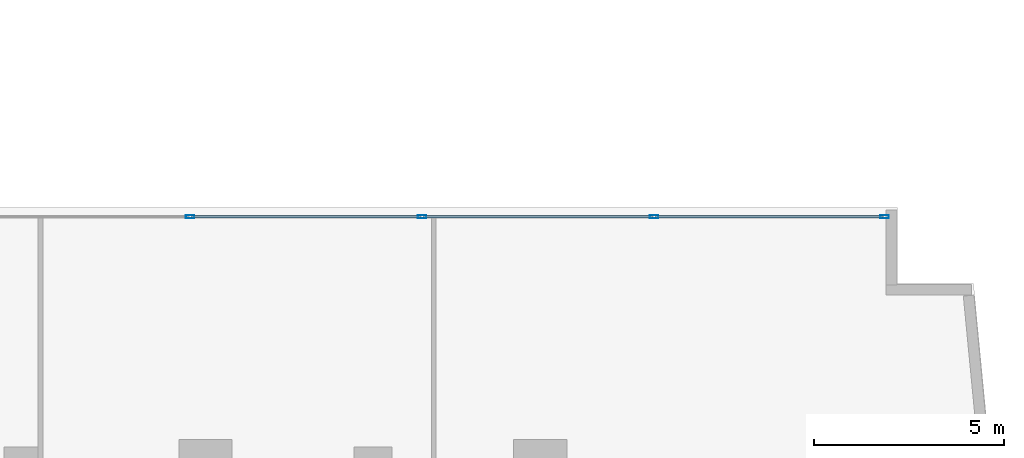
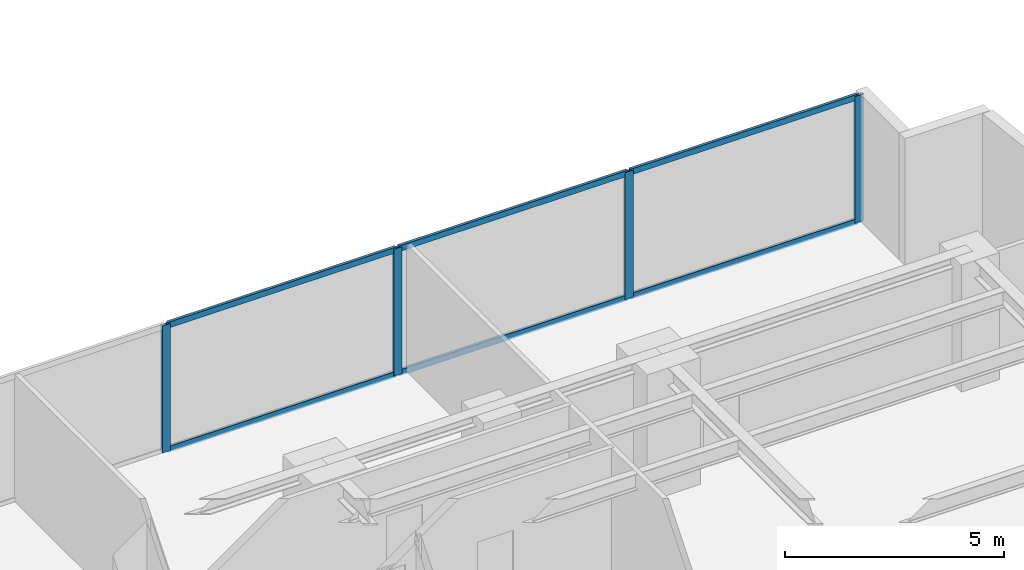
# One storey, part 13 of 24: 10 members, 1 element without a shape of its own.
"""IFC4 building model written with IfcOpenShell, lengths in metres."""

import ifcopenshell
import ifcopenshell.guid

model = None  # the IFC model being written
_history = None  # IfcOwnerHistory: only IFC2X3 demands one
_inside = {}  # id of a spatial element -> (the spatial element, [elements in it])
_under = {}  # id of a project, library or spatial element -> (it, [spatial elements below it])
_declared = {}  # id of a project -> (the project, [libraries it declares])
_typed = {}  # id of a type object -> (the type object, [elements of that type])
_made_of = {}  # id of a material, layer set ... -> (it, [elements and type objects made of it])


def new_model(schema):
    """Start an empty IFC model of exactly this schema.

    Asked for "IFC4X3", IfcOpenShell would pick the latest addendum, in which some entities
    have other attributes; the version numbers below select the first issue.
    IFC2X3 requires an IfcOwnerHistory on every rooted entity: one is made here for all.
    """
    global model, _history
    if schema == "IFC4X3":
        model = ifcopenshell.file(schema_version=(4, 3, 0, 0))
    else:
        model = ifcopenshell.file(schema=schema)
    _inside.clear()
    _under.clear()
    _declared.clear()
    _typed.clear()
    _made_of.clear()
    _history = None
    if model.schema == "IFC2X3":
        org = make("IfcOrganization", Name="unknown")
        user = make(
            "IfcPersonAndOrganization",
            ThePerson=make("IfcPerson", FamilyName="unknown"),
            TheOrganization=org,
        )
        app = make(
            "IfcApplication",
            ApplicationDeveloper=org,
            Version="unknown",
            ApplicationFullName="unknown",
            ApplicationIdentifier="unknown",
        )
        _history = make(
            "IfcOwnerHistory",
            OwningUser=user,
            OwningApplication=app,
            ChangeAction="ADDED",
            CreationDate=0,
        )
    return model


def make(cls, **values):
    """One entity of the class cls with the attributes given. An attribute that is None is left unset."""
    return model.create_entity(
        cls, **{name: value for name, value in values.items() if value is not None}
    )


def rooted(cls, **values):
    """An entity with a GlobalId (a new one), such as an element, a storey or a relation."""
    return make(cls, GlobalId=ifcopenshell.guid.new(), OwnerHistory=_history, **values)


def si_unit(unit_type, name, prefix=None):
    """IfcSIUnit, for example si_unit("LENGTHUNIT", "METRE", prefix="MILLI")."""
    return make("IfcSIUnit", UnitType=unit_type, Prefix=prefix, Name=name)


def assignment(units):
    """IfcUnitAssignment: the units of a project."""
    return None if units is None else make("IfcUnitAssignment", Units=units)


def point(xyz):
    """IfcCartesianPoint."""
    return None if xyz is None else make("IfcCartesianPoint", Coordinates=xyz)


def direction(xyz):
    """IfcDirection."""
    return None if xyz is None else make("IfcDirection", DirectionRatios=xyz)


def frame(location, z_axis=None, x_axis=None):
    """IfcAxis2Placement3D, a coordinate frame: its origin and axes. An axis left out is left unset."""
    return make(
        "IfcAxis2Placement3D",
        Location=point(location),
        Axis=direction(z_axis),
        RefDirection=direction(x_axis),
    )


def frame_2d(location, x_axis=None):
    """IfcAxis2Placement2D, a coordinate frame in the plane: its origin and x axis."""
    return make(
        "IfcAxis2Placement2D", Location=point(location), RefDirection=direction(x_axis)
    )


def origin():
    """The frame at (0, 0, 0) with its axes left unset."""
    return frame((0.0, 0.0, 0.0))


def origin_with_axes():
    """The frame at (0, 0, 0) with the z axis (0, 0, 1) and the x axis (1, 0, 0) written out."""
    return frame((0.0, 0.0, 0.0), z_axis=(0.0, 0.0, 1.0), x_axis=(1.0, 0.0, 0.0))


def origin_2d():
    """The frame at (0, 0) in the plane with its x axis left unset."""
    return frame_2d((0.0, 0.0))


def place(relative_to, where):
    """IfcLocalPlacement: puts the frame where relative to a parent placement (None: the world)."""
    return make(
        "IfcLocalPlacement", PlacementRelTo=relative_to, RelativePlacement=where
    )


def context(
    kind, dimensions, precision=None, world=None, true_north=None, identifier=None
):
    """IfcGeometricRepresentationContext, for example the 3D "Model" context."""
    return make(
        "IfcGeometricRepresentationContext",
        ContextIdentifier=identifier,
        ContextType=kind,
        CoordinateSpaceDimension=dimensions,
        Precision=precision,
        WorldCoordinateSystem=world,
        TrueNorth=true_north,
    )


def subcontext(parent, identifier, kind, view, scale=None):
    """IfcGeometricRepresentationSubContext, for example "Body" below "Model"."""
    return make(
        "IfcGeometricRepresentationSubContext",
        ContextIdentifier=identifier,
        ContextType=kind,
        ParentContext=parent,
        TargetScale=scale,
        TargetView=view,
    )


def project(units=None, contexts=None):
    """IfcProject with its units and contexts."""
    return rooted(
        "IfcProject",
        Name="project",
        RepresentationContexts=contexts,
        UnitsInContext=assignment(units),
    )


def spatial(cls, under=None, at=None, **own):
    """A site, building, storey or space (cls), placed at a placement, below another one or the project."""
    s = rooted(cls, ObjectPlacement=at, **own)
    if under is not None:
        _under.setdefault(under.id(), (under, []))[1].append(s)
    return s


def profile(cls, at=None, kind="AREA", **sizes):
    """A parametric profile (cls). Its sizes go by their IFC names, for example OverallWidth=200.0."""
    return make(cls, ProfileType=kind, Position=at, **sizes)


def hollow_rectangle(**sizes):
    """IfcRectangleHollowProfileDef."""
    return profile("IfcRectangleHollowProfileDef", **sizes)


def extrude(swept, where, along, depth):
    """IfcExtrudedAreaSolid: the profile swept, set in the frame where, extruded along a direction by depth."""
    return make(
        "IfcExtrudedAreaSolid",
        SweptArea=swept,
        Position=where,
        ExtrudedDirection=direction(along),
        Depth=depth,
    )


def shape(context_of_items, identifier, shape_type, items):
    """IfcShapeRepresentation: the items that make up one representation, for example the "Body"."""
    return make(
        "IfcShapeRepresentation",
        ContextOfItems=context_of_items,
        RepresentationIdentifier=identifier,
        RepresentationType=shape_type,
        Items=items,
    )


def source(mapping_origin, context_of_items, identifier, shape_type, items):
    """IfcRepresentationMap: a shape defined once, which mapped items show again and again."""
    return make(
        "IfcRepresentationMap",
        MappingOrigin=mapping_origin,
        MappedRepresentation=shape(context_of_items, identifier, shape_type, items),
    )


def transform(
    local_origin,
    x_axis=None,
    y_axis=None,
    z_axis=None,
    scale=None,
    scale2=None,
    scale3=None,
    uniform=True,
):
    """IfcCartesianTransformationOperator3D, or its non-uniform kind. x_axis, y_axis, z_axis: its Axis1, 2, 3."""
    if uniform:
        return make(
            "IfcCartesianTransformationOperator3D",
            Axis1=direction(x_axis),
            Axis2=direction(y_axis),
            LocalOrigin=point(local_origin),
            Scale=scale,
            Axis3=direction(z_axis),
        )
    return make(
        "IfcCartesianTransformationOperator3DnonUniform",
        Axis1=direction(x_axis),
        Axis2=direction(y_axis),
        LocalOrigin=point(local_origin),
        Scale=scale,
        Axis3=direction(z_axis),
        Scale2=scale2,
        Scale3=scale3,
    )


def mapped(mapping_source, mapping_target):
    """IfcMappedItem: shows the shape of a source again, moved by a transform."""
    return make(
        "IfcMappedItem", MappingSource=mapping_source, MappingTarget=mapping_target
    )


def material(Name=None, Category=None):
    """IfcMaterial."""
    return make("IfcMaterial", Name=Name, Category=Category)


def layer(
    of_material, thickness, ventilated=None, Name=None, Category=None, Priority=None
):
    """IfcMaterialLayer: one layer of a wall or slab, of a material (None: an air gap)."""
    return make(
        "IfcMaterialLayer",
        Material=of_material,
        LayerThickness=thickness,
        IsVentilated=ventilated,
        Name=Name,
        Category=Category,
        Priority=Priority,
    )


def layer_set(layers, Name=None):
    """IfcMaterialLayerSet."""
    return make("IfcMaterialLayerSet", MaterialLayers=layers, LayerSetName=Name)


def material_profile(
    of_material, cross_section, Name=None, Category=None, Priority=None
):
    """IfcMaterialProfile: a cross section and its material."""
    return make(
        "IfcMaterialProfile",
        Name=Name,
        Material=of_material,
        Profile=cross_section,
        Priority=Priority,
        Category=Category,
    )


def profile_set(profiles, Name=None, composite=None):
    """IfcMaterialProfileSet."""
    return make(
        "IfcMaterialProfileSet",
        Name=Name,
        MaterialProfiles=profiles,
        CompositeProfile=composite,
    )


def made_of(thing, what):
    """Note that an element or type object is made of a material, layer set ...; save() writes the relation."""
    if what is not None:
        _made_of.setdefault(what.id(), (what, []))[1].append(thing)
    return thing


def type_object(cls, material=None, **own):
    """A type object (cls), such as IfcWallType, which elements share."""
    return made_of(rooted(cls, **own), material)


def element(
    cls,
    number,
    at=None,
    inside=None,
    cuts=None,
    type_object=None,
    material=None,
    context=None,
    identifier="Body",
    shape_type=None,
    held_by="IfcProductDefinitionShape",
    body=None,
    shapes=None,
    **own,
):
    """One element of the class cls, such as IfcWall. Its Tag is "e" and its number.

    at: its placement. inside: the storey or other place that contains it. cuts: it is an
    opening in that element (IfcRelVoidsElement). A single representation is given by context,
    identifier, shape_type and body (its items); several are given by shapes. held_by: the class
    of the entity that holds the representations. save() writes the other relations.
    """
    e = rooted(cls, Tag="e%d" % number, ObjectPlacement=at, **own)
    if body is not None:
        shapes = [shape(context, identifier, shape_type, body)]
    if shapes is not None:
        e.Representation = make(held_by, Representations=shapes)
    if inside is not None:
        _inside.setdefault(inside.id(), (inside, []))[1].append(e)
    if cuts is not None:
        rooted(
            "IfcRelVoidsElement", RelatingBuildingElement=cuts, RelatedOpeningElement=e
        )
    if type_object is not None:
        _typed.setdefault(type_object.id(), (type_object, []))[1].append(e)
    return made_of(e, material)


def aggregate(whole, parts):
    """IfcRelAggregates: a whole, such as a stair, and the parts it consists of."""
    return rooted("IfcRelAggregates", RelatingObject=whole, RelatedObjects=parts)


def save(model, path):
    """Write the relations noted so far, then the file.

    IfcRelAggregates (storeys below a building ...), IfcRelContainedInSpatialStructure (elements
    in a storey), IfcRelDefinesByType, IfcRelAssociatesMaterial and IfcRelDeclares: one each for
    every whole, place, type object, material and project.
    """
    for whole, parts in _under.values():
        aggregate(whole, parts)
    for where, things in _inside.values():
        rooted(
            "IfcRelContainedInSpatialStructure",
            RelatedElements=things,
            RelatingStructure=where,
        )
    for kind, things in _typed.values():
        rooted("IfcRelDefinesByType", RelatedObjects=things, RelatingType=kind)
    for what, things in _made_of.values():
        rooted("IfcRelAssociatesMaterial", RelatedObjects=things, RelatingMaterial=what)
    for by, libraries in _declared.values():
        rooted("IfcRelDeclares", RelatingContext=by, RelatedDefinitions=libraries)
    model.write(path)


model = new_model("IFC4")

# Units and contexts
model_context = context("Model", 3, precision=1e-05, world=origin(), true_north=direction((0.0, 1.0)))
body_context = subcontext(model_context, "Body", "Model", "MODEL_VIEW")
ifc_project = project(units=[si_unit("LENGTHUNIT", "METRE"), si_unit("AREAUNIT", "SQUARE_METRE"), si_unit("VOLUMEUNIT", "CUBIC_METRE"), si_unit("PLANEANGLEUNIT", "RADIAN"), si_unit("MASSUNIT", "GRAM", prefix="KILO")], contexts=[model_context])

# Site, building, storey
site_placement = place(None, origin())
site = spatial("IfcSite", under=ifc_project, at=site_placement, CompositionType="ELEMENT")
building_placement = place(site_placement, origin())
building = spatial("IfcBuilding", under=site, at=building_placement, Name="Kolvaren Waterfront Exchange", CompositionType="ELEMENT")
storey_placement = place(building_placement, frame((0.0, 0.0, 91.699951171875)))
storey = spatial("IfcBuildingStorey", under=building, at=storey_placement, Name="L23", CompositionType="ELEMENT", Elevation=91.699951171875)

# Curtain wall, members
ifc_material_1 = material(Name="Anodised bronze aluminium 6063-T6", Category="aluminium")
ifc_layer = layer(ifc_material_1, 0.219970703125, Name="Anodised bronze aluminium 6063-T6")
ifc_layer_set = layer_set([ifc_layer], Name="Anodised bronze aluminium 6063-T6")
curtain_wall_type = type_object("IfcCurtainWallType", Name="ARC-CW-SYS1", PredefinedType="USERDEFINED", material=ifc_layer_set)
curtain_wall_placement = place(storey_placement, origin())
curtain_wall = element("IfcCurtainWall", 1, at=curtain_wall_placement, inside=storey, type_object=curtain_wall_type, Name="L23 stick curtain wall CW1 (CW-L23-EN)", ObjectType="STICK CURTAIN WALL", PredefinedType="USERDEFINED")
ifc_material_2 = material(Name="Anodised aluminium 6063-T6", Category="aluminium")
ifc_material_profile_1 = material_profile(ifc_material_2, hollow_rectangle(XDim=0.080078125, YDim=0.219970703125, WallThickness=0.0048828125, at=origin_2d()), Name="ALU-MUL-220x80x5")
ifc_profile_set_1 = profile_set([ifc_material_profile_1], Name="Anodised aluminium 6063-T6")
member_type_1 = type_object("IfcMemberType", Name="ARC-CWM-220", PredefinedType="MULLION", material=ifc_profile_set_1)
shared_shape_1 = source(origin_with_axes(), body_context, "Body", "SweptSolid", [
    extrude(hollow_rectangle(XDim=0.080078125, YDim=0.219970703125, WallThickness=0.0048828125, at=origin_2d()), origin(), (0.0, 0.0, 1.0), 3.5400390625),
])
member_1_placement = place(storey_placement, frame((36.392578125, 23.9599609375, 0.0), z_axis=(0.0, 0.0, 1.0), x_axis=(0.0, 1.0, 0.0)))
member_1 = element("IfcMember", 2, at=member_1_placement, type_object=member_type_1, Name="CW1 mullion 2", PredefinedType="MULLION", context=body_context, shape_type="MappedRepresentation", body=[
    mapped(shared_shape_1, transform((0.0, 0.0, 0.0), x_axis=(1.0, 0.0, 0.0), y_axis=(0.0, 1.0, 0.0), z_axis=(0.0, 0.0, 1.0), scale=1.0)),
])
member_2_placement = place(storey_placement, frame((42.4951171875, 23.9599609375, 0.0), z_axis=(0.0, 0.0, 1.0), x_axis=(0.0, 1.0, 0.0)))
member_2 = element("IfcMember", 3, at=member_2_placement, type_object=member_type_1, Name="CW1 mullion 3", PredefinedType="MULLION", context=body_context, shape_type="MappedRepresentation", body=[
    mapped(shared_shape_1, transform((0.0, 0.0, 0.0), x_axis=(1.0, 0.0, 0.0), y_axis=(0.0, 1.0, 0.0), z_axis=(0.0, 0.0, 1.0), scale=1.0)),
])
member_3_placement = place(storey_placement, frame((48.597412109375, 23.9599609375, 0.0), z_axis=(0.0, 0.0, 1.0), x_axis=(0.0, 1.0, 0.0)))
member_3 = element("IfcMember", 4, at=member_3_placement, type_object=member_type_1, Name="CW1 mullion 4", PredefinedType="MULLION", context=body_context, shape_type="MappedRepresentation", body=[
    mapped(shared_shape_1, transform((0.0, 0.0, 0.0), x_axis=(1.0, 0.0, 0.0), y_axis=(0.0, 1.0, 0.0), z_axis=(0.0, 0.0, 1.0), scale=1.0)),
])
member_4_placement = place(storey_placement, frame((54.659912109375, 23.9599609375, 0.0), z_axis=(0.0, 0.0, 1.0), x_axis=(0.0, 1.0, 0.0)))
member_4 = element("IfcMember", 5, at=member_4_placement, type_object=member_type_1, Name="CW1 mullion 5", PredefinedType="MULLION", context=body_context, shape_type="MappedRepresentation", body=[
    mapped(shared_shape_1, transform((0.0, 0.0, 0.0), x_axis=(1.0, 0.0, 0.0), y_axis=(0.0, 1.0, 0.0), z_axis=(0.0, 0.0, 1.0), scale=1.0)),
])
ifc_material_profile_2 = material_profile(ifc_material_2, hollow_rectangle(XDim=0.074951171875, YDim=0.159912109375, WallThickness=0.00439453125, at=origin_2d()), Name="ALU-TRN-160x75x4.5")
ifc_profile_set_2 = profile_set([ifc_material_profile_2], Name="Anodised aluminium 6063-T6")
member_type_2 = type_object("IfcMemberType", Name="ARC-CWT-160", PredefinedType="USERDEFINED", material=ifc_profile_set_2)
shared_shape_2 = source(origin_with_axes(), body_context, "Body", "SweptSolid", [
    extrude(hollow_rectangle(XDim=0.074951171875, YDim=0.159912109375, WallThickness=0.00439453125, at=origin_2d()), origin(), (0.0, 0.0, 1.0), 6.0224609375),
])
member_5_placement = place(storey_placement, frame((36.4326171875, 23.9599609375, 0.03759765625), z_axis=(1.0, 0.0, 0.0), x_axis=(0.0, 1.0, 0.0)))
member_5 = element("IfcMember", 6, at=member_5_placement, type_object=member_type_2, Name="CW1 transom 2.1", ObjectType="TRANSOM", PredefinedType="USERDEFINED", context=body_context, shape_type="MappedRepresentation", body=[
    mapped(shared_shape_2, transform((0.0, 0.0, 0.0), x_axis=(1.0, 0.0, 0.0), y_axis=(0.0, 1.0, 0.0), z_axis=(0.0, 0.0, 1.0), scale=1.0)),
])
member_6_placement = place(storey_placement, frame((36.4326171875, 23.9599609375, 3.50244140625), z_axis=(1.0, 0.0, 0.0), x_axis=(0.0, 1.0, 0.0)))
member_6 = element("IfcMember", 7, at=member_6_placement, type_object=member_type_2, Name="CW1 transom 2.2", ObjectType="TRANSOM", PredefinedType="USERDEFINED", context=body_context, shape_type="MappedRepresentation", body=[
    mapped(shared_shape_2, transform((0.0, 0.0, 0.0), x_axis=(1.0, 0.0, 0.0), y_axis=(0.0, 1.0, 0.0), z_axis=(0.0, 0.0, 1.0), scale=1.0)),
])
shared_shape_3 = source(origin_with_axes(), body_context, "Body", "SweptSolid", [
    extrude(hollow_rectangle(XDim=0.074951171875, YDim=0.159912109375, WallThickness=0.00439453125, at=origin_2d()), origin(), (0.0, 0.0, 1.0), 6.022705078125),
])
member_7_placement = place(storey_placement, frame((42.534912109375, 23.9599609375, 0.03759765625), z_axis=(1.0, 0.0, 0.0), x_axis=(0.0, 1.0, 0.0)))
member_7 = element("IfcMember", 8, at=member_7_placement, type_object=member_type_2, Name="CW1 transom 3.1", ObjectType="TRANSOM", PredefinedType="USERDEFINED", context=body_context, shape_type="MappedRepresentation", body=[
    mapped(shared_shape_3, transform((0.0, 0.0, 0.0), x_axis=(1.0, 0.0, 0.0), y_axis=(0.0, 1.0, 0.0), z_axis=(0.0, 0.0, 1.0), scale=1.0)),
])
member_8_placement = place(storey_placement, frame((42.534912109375, 23.9599609375, 3.50244140625), z_axis=(1.0, 0.0, 0.0), x_axis=(0.0, 1.0, 0.0)))
member_8 = element("IfcMember", 9, at=member_8_placement, type_object=member_type_2, Name="CW1 transom 3.2", ObjectType="TRANSOM", PredefinedType="USERDEFINED", context=body_context, shape_type="MappedRepresentation", body=[
    mapped(shared_shape_3, transform((0.0, 0.0, 0.0), x_axis=(1.0, 0.0, 0.0), y_axis=(0.0, 1.0, 0.0), z_axis=(0.0, 0.0, 1.0), scale=1.0)),
])
shared_shape_4 = source(origin_with_axes(), body_context, "Body", "SweptSolid", [
    extrude(hollow_rectangle(XDim=0.074951171875, YDim=0.159912109375, WallThickness=0.00439453125, at=origin_2d()), origin(), (0.0, 0.0, 1.0), 5.982666015625),
])
member_9_placement = place(storey_placement, frame((48.637451171875, 23.9599609375, 0.03759765625), z_axis=(1.0, 0.0, 0.0), x_axis=(0.0, 1.0, 0.0)))
member_9 = element("IfcMember", 10, at=member_9_placement, type_object=member_type_2, Name="CW1 transom 4.1", ObjectType="TRANSOM", PredefinedType="USERDEFINED", context=body_context, shape_type="MappedRepresentation", body=[
    mapped(shared_shape_4, transform((0.0, 0.0, 0.0), x_axis=(1.0, 0.0, 0.0), y_axis=(0.0, 1.0, 0.0), z_axis=(0.0, 0.0, 1.0), scale=1.0)),
])
member_10_placement = place(storey_placement, frame((48.637451171875, 23.9599609375, 3.50244140625), z_axis=(1.0, 0.0, 0.0), x_axis=(0.0, 1.0, 0.0)))
member_10 = element("IfcMember", 11, at=member_10_placement, type_object=member_type_2, Name="CW1 transom 4.2", ObjectType="TRANSOM", PredefinedType="USERDEFINED", context=body_context, shape_type="MappedRepresentation", body=[
    mapped(shared_shape_4, transform((0.0, 0.0, 0.0), x_axis=(1.0, 0.0, 0.0), y_axis=(0.0, 1.0, 0.0), z_axis=(0.0, 0.0, 1.0), scale=1.0)),
])
aggregate(curtain_wall, [member_1, member_2, member_3, member_4, member_5, member_6, member_7, member_8, member_9, member_10])

save(model, "model.ifc")
